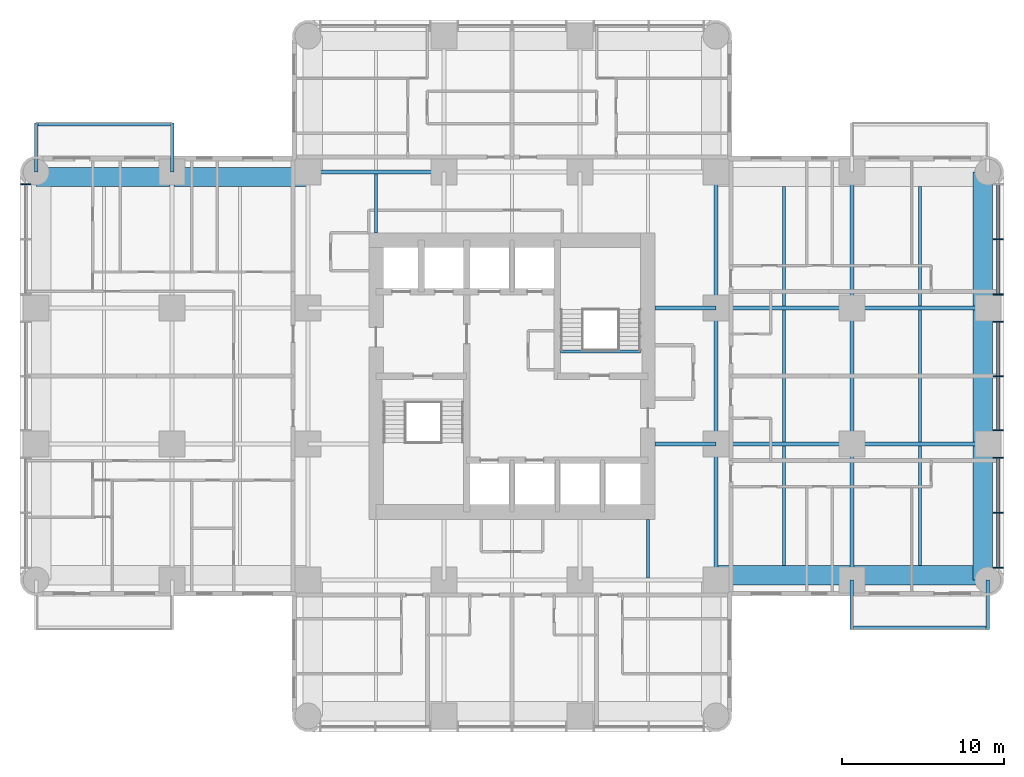
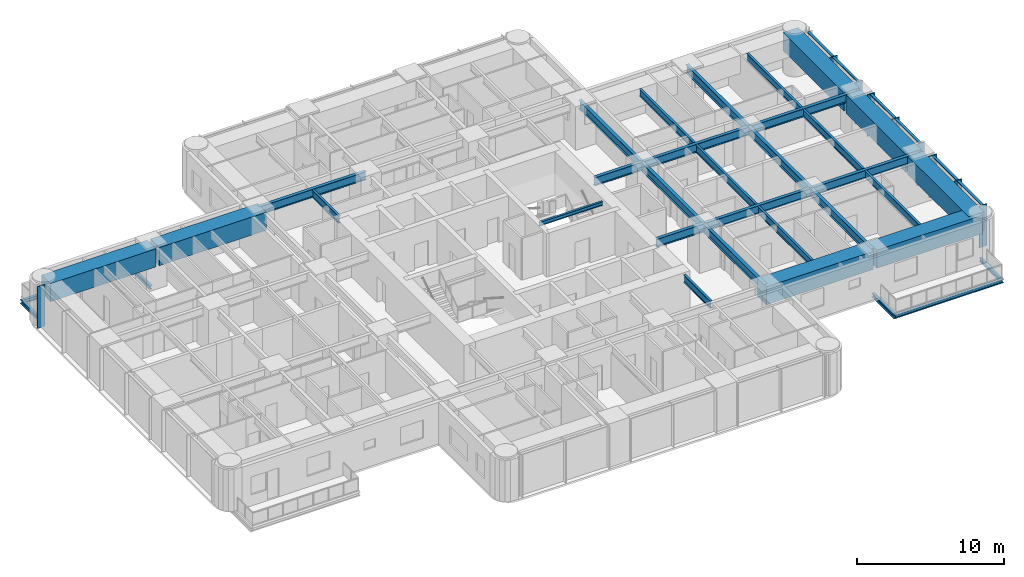
# One storey, part 3 of 14: 35 beams, 15 members, 2 elements without a shape of their own.
"""IFC4 building model written with IfcOpenShell, lengths in metres."""

from ifc_helpers import new_model, si_unit, direction, frame, origin, origin_2d, place, context, subcontext, project, spatial, rectangle, i_section, extrude, material, material_profile, profile_set, type_object, element, aggregate, save


model = new_model("IFC4")

# Units and contexts
model_context = context("Model", 3, precision=1e-05, world=origin(), true_north=direction((0.0, 1.0)))
body_context = subcontext(model_context, "Body", "Model", "MODEL_VIEW")
ifc_project = project(units=[si_unit("LENGTHUNIT", "METRE"), si_unit("AREAUNIT", "SQUARE_METRE"), si_unit("VOLUMEUNIT", "CUBIC_METRE"), si_unit("PLANEANGLEUNIT", "RADIAN"), si_unit("MASSUNIT", "GRAM", prefix="KILO")], contexts=[model_context])

# Site, building, storey
site_placement = place(None, origin())
site = spatial("IfcSite", under=ifc_project, at=site_placement, CompositionType="ELEMENT")
building_placement = place(site_placement, origin())
building = spatial("IfcBuilding", under=site, at=building_placement, Name="Torre Alcanfor", CompositionType="ELEMENT")
storey_placement = place(building_placement, frame((0.0, 0.0, 155.699951171875)))
storey = spatial("IfcBuildingStorey", under=building, at=storey_placement, Name="L40", CompositionType="ELEMENT", Elevation=155.699951171875)

# Beams
ifc_material_1 = material(Name="Steel ASTM A992 Grade 50", Category="steel")
ifc_material_profile_1 = material_profile(ifc_material_1, i_section(OverallWidth=0.205322265625, OverallDepth=0.309814453125, WebThickness=0.00927734375, FlangeThickness=0.016357421875, at=origin_2d()), Name="W12x50")
ifc_profile_set_1 = profile_set([ifc_material_profile_1], Name="Steel ASTM A992 Grade 50")
beam_type_1 = type_object("IfcBeamType", Name="Balcony cantilever beam W12x50", PredefinedType="BEAM", material=ifc_profile_set_1)
for number, where, z_axis, x_axis, name in (
    (1, (50.39990234375, 16.800048828125, -0.35498046875), (0.0, -1.0, 0.0), (1.0, 0.0, 0.0), "Balcony cantilever beam L40-E2 1"),
    (2, (58.800048828125, 16.800048828125, -0.35498046875), (0.0, -1.0, 0.0), (1.0, 0.0, 0.0), "Balcony cantilever beam L40-E2 2"),
    (3, (8.39990234375, 42.0, -0.35498046875), (0.0, 1.0, 0.0), (-1.0, 0.0, 0.0), "Balcony cantilever beam L40-W2 1"),
    (4, (0.0, 42.0, -0.35498046875), (0.0, 1.0, 0.0), (-1.0, 0.0, 0.0), "Balcony cantilever beam L40-W2 2"),
):
    element("IfcBeam", number, at=place(storey_placement, frame(where, z_axis=z_axis, x_axis=x_axis)), inside=storey, type_object=beam_type_1, Name=name, PredefinedType="BEAM", context=body_context, shape_type="SweptSolid", body=[
        extrude(i_section(OverallWidth=0.205322265625, OverallDepth=0.309814453125, WebThickness=0.00927734375, FlangeThickness=0.016357421875, at=origin_2d()), origin(), (0.0, 0.0, 1.0), 3.050048828125),
    ])
ifc_material_2 = material(Name="Steel ASTM A992 Grade 50", Category="steel")
ifc_material_profile_2 = material_profile(ifc_material_2, i_section(OverallWidth=0.203369140625, OverallDepth=0.30224609375, WebThickness=0.007568359375, FlangeThickness=0.01318359375, at=origin_2d()), Name="W12x40")
ifc_profile_set_2 = profile_set([ifc_material_profile_2], Name="Steel ASTM A992 Grade 50")
beam_type_2 = type_object("IfcBeamType", Name="Balcony edge trimmer W12x40", PredefinedType="BEAM", material=ifc_profile_set_2)
beam_1_placement = place(storey_placement, frame((50.39990234375, 13.851806640625, -0.35107421875), z_axis=(1.0, 0.0, 0.0), x_axis=(0.0, 1.0, 0.0)))
element("IfcBeam", 5, at=beam_1_placement, inside=storey, type_object=beam_type_2, Name="Balcony edge trimmer L40-E2", PredefinedType="BEAM", context=body_context, shape_type="SweptSolid", body=[
    extrude(i_section(OverallWidth=0.203369140625, OverallDepth=0.30224609375, WebThickness=0.007568359375, FlangeThickness=0.01318359375, at=origin_2d()), origin(), (0.0, 0.0, 1.0), 8.400146484375),
])
beam_2_placement = place(storey_placement, frame((8.39990234375, 44.9482421875, -0.35107421875), z_axis=(-1.0, 0.0, 0.0), x_axis=(0.0, -1.0, 0.0)))
element("IfcBeam", 6, at=beam_2_placement, inside=storey, type_object=beam_type_2, Name="Balcony edge trimmer L40-W2", PredefinedType="BEAM", context=body_context, shape_type="SweptSolid", body=[
    extrude(i_section(OverallWidth=0.203369140625, OverallDepth=0.30224609375, WebThickness=0.007568359375, FlangeThickness=0.01318359375, at=origin_2d()), origin(), (0.0, 0.0, 1.0), 8.39990234375),
])

# Curtain wall, member
ifc_material_3 = material(Name="Aluminium and glass", Category="aluminium")
curtain_wall_type = type_object("IfcCurtainWallType", Name="CW-A unitised apartment glazing with vertical FIN", PredefinedType="NOTDEFINED", material=ifc_material_3)
curtain_wall_1_placement = place(storey_placement, origin())
curtain_wall_1 = element("IfcCurtainWall", 7, at=curtain_wall_1_placement, inside=storey, type_object=curtain_wall_type, Name="Curtain wall CW-A L40 2", PredefinedType="NOTDEFINED")
ifc_material_4 = material(Name="Bronze anodised aluminium", Category="aluminium")
ifc_material_profile_3 = material_profile(ifc_material_4, rectangle(XDim=0.60009765625, YDim=0.06494140625, at=origin_2d()), Name="CW-A mullion 65x600")
ifc_profile_set_3 = profile_set([ifc_material_profile_3], Name="Bronze anodised aluminium")
member_type_1 = type_object("IfcMemberType", Name="CW-A mullion with vertical FIN 65x600", PredefinedType="MULLION", material=ifc_profile_set_3)
member_1_placement = place(storey_placement, frame((-0.64990234375, 41.24267578125, 0.0), z_axis=(0.0, 0.0, 1.0), x_axis=(1.0, 0.0, 0.0)))
member_1 = element("IfcMember", 8, at=member_1_placement, type_object=member_type_1, Name="CW-A mullion 1.1", PredefinedType="MULLION", context=body_context, shape_type="SweptSolid", body=[
    extrude(rectangle(XDim=0.60009765625, YDim=0.06494140625, at=origin_2d()), origin(), (0.0, 0.0, 1.0), 3.449951171875),
])
aggregate(curtain_wall_1, [member_1])

# Curtain wall, members
curtain_wall_2_placement = place(storey_placement, origin())
curtain_wall_2 = element("IfcCurtainWall", 9, at=curtain_wall_2_placement, inside=storey, type_object=curtain_wall_type, Name="Curtain wall CW-A L40 8", PredefinedType="NOTDEFINED")
member_2_placement = place(storey_placement, frame((59.449951171875, 17.557373046875, 0.0), z_axis=(0.0, 0.0, 1.0), x_axis=(-1.0, 0.0, 0.0)))
member_2 = element("IfcMember", 10, at=member_2_placement, type_object=member_type_1, Name="CW-A mullion 1.1", PredefinedType="MULLION", context=body_context, shape_type="SweptSolid", body=[
    extrude(rectangle(XDim=0.60009765625, YDim=0.06494140625, at=origin_2d()), origin(), (0.0, 0.0, 1.0), 3.449951171875),
])
member_3_placement = place(storey_placement, frame((59.449951171875, 20.9599609375, 0.0), z_axis=(0.0, 0.0, 1.0), x_axis=(-1.0, 0.0, 0.0)))
member_3 = element("IfcMember", 11, at=member_3_placement, type_object=member_type_1, Name="CW-A mullion 1.2", PredefinedType="MULLION", context=body_context, shape_type="SweptSolid", body=[
    extrude(rectangle(XDim=0.60009765625, YDim=0.06494140625, at=origin_2d()), origin(), (0.0, 0.0, 1.0), 3.449951171875),
])
member_4_placement = place(storey_placement, frame((59.449951171875, 24.362548828125, 0.0), z_axis=(0.0, 0.0, 1.0), x_axis=(-1.0, 0.0, 0.0)))
member_4 = element("IfcMember", 12, at=member_4_placement, type_object=member_type_1, Name="CW-A mullion 1.3", PredefinedType="MULLION", context=body_context, shape_type="SweptSolid", body=[
    extrude(rectangle(XDim=0.60009765625, YDim=0.06494140625, at=origin_2d()), origin(), (0.0, 0.0, 1.0), 3.449951171875),
])
member_5_placement = place(storey_placement, frame((59.449951171875, 26.03759765625, 0.0), z_axis=(0.0, 0.0, 1.0), x_axis=(-1.0, 0.0, 0.0)))
member_5 = element("IfcMember", 13, at=member_5_placement, type_object=member_type_1, Name="CW-A mullion 2.1", PredefinedType="MULLION", context=body_context, shape_type="SweptSolid", body=[
    extrude(rectangle(XDim=0.60009765625, YDim=0.06494140625, at=origin_2d()), origin(), (0.0, 0.0, 1.0), 3.449951171875),
])
member_6_placement = place(storey_placement, frame((59.449951171875, 29.39990234375, 0.0), z_axis=(0.0, 0.0, 1.0), x_axis=(-1.0, 0.0, 0.0)))
member_6 = element("IfcMember", 14, at=member_6_placement, type_object=member_type_1, Name="CW-A mullion 2.2", PredefinedType="MULLION", context=body_context, shape_type="SweptSolid", body=[
    extrude(rectangle(XDim=0.60009765625, YDim=0.06494140625, at=origin_2d()), origin(), (0.0, 0.0, 1.0), 3.449951171875),
])
member_7_placement = place(storey_placement, frame((59.449951171875, 32.762451171875, 0.0), z_axis=(0.0, 0.0, 1.0), x_axis=(-1.0, 0.0, 0.0)))
member_7 = element("IfcMember", 15, at=member_7_placement, type_object=member_type_1, Name="CW-A mullion 2.3", PredefinedType="MULLION", context=body_context, shape_type="SweptSolid", body=[
    extrude(rectangle(XDim=0.60009765625, YDim=0.06494140625, at=origin_2d()), origin(), (0.0, 0.0, 1.0), 3.449951171875),
])
member_8_placement = place(storey_placement, frame((59.449951171875, 34.4375, 0.0), z_axis=(0.0, 0.0, 1.0), x_axis=(-1.0, 0.0, 0.0)))
member_8 = element("IfcMember", 16, at=member_8_placement, type_object=member_type_1, Name="CW-A mullion 3.1", PredefinedType="MULLION", context=body_context, shape_type="SweptSolid", body=[
    extrude(rectangle(XDim=0.60009765625, YDim=0.06494140625, at=origin_2d()), origin(), (0.0, 0.0, 1.0), 3.449951171875),
])
member_9_placement = place(storey_placement, frame((59.449951171875, 37.840087890625, 0.0), z_axis=(0.0, 0.0, 1.0), x_axis=(-1.0, 0.0, 0.0)))
member_9 = element("IfcMember", 17, at=member_9_placement, type_object=member_type_1, Name="CW-A mullion 3.2", PredefinedType="MULLION", context=body_context, shape_type="SweptSolid", body=[
    extrude(rectangle(XDim=0.60009765625, YDim=0.06494140625, at=origin_2d()), origin(), (0.0, 0.0, 1.0), 3.449951171875),
])
ifc_material_5 = material(Name="Extruded aluminium", Category="aluminium")
ifc_material_profile_4 = material_profile(ifc_material_5, rectangle(XDim=0.199951171875, YDim=0.06494140625, at=origin_2d()), Name="CW-A transom 200x65")
ifc_profile_set_4 = profile_set([ifc_material_profile_4], Name="Extruded aluminium")
member_type_2 = type_object("IfcMemberType", Name="CW-A transom 65x200", PredefinedType="USERDEFINED", material=ifc_profile_set_4)
member_10_placement = place(storey_placement, frame((59.449951171875, 17.58984375, 3.41748046875), z_axis=(0.0, 1.0, 0.0), x_axis=(-1.0, 0.0, 0.0)))
member_10 = element("IfcMember", 18, at=member_10_placement, type_object=member_type_2, Name="CW-A transom 1.1.2", ObjectType="TRANSOM", PredefinedType="USERDEFINED", context=body_context, shape_type="SweptSolid", body=[
    extrude(rectangle(XDim=0.199951171875, YDim=0.06494140625, at=origin_2d()), origin(), (0.0, 0.0, 1.0), 3.337646484375),
])
member_11_placement = place(storey_placement, frame((59.449951171875, 20.992431640625, 3.41748046875), z_axis=(0.0, 1.0, 0.0), x_axis=(-1.0, 0.0, 0.0)))
member_11 = element("IfcMember", 19, at=member_11_placement, type_object=member_type_2, Name="CW-A transom 1.2.2", ObjectType="TRANSOM", PredefinedType="USERDEFINED", context=body_context, shape_type="SweptSolid", body=[
    extrude(rectangle(XDim=0.199951171875, YDim=0.06494140625, at=origin_2d()), origin(), (0.0, 0.0, 1.0), 3.337646484375),
])
member_12_placement = place(storey_placement, frame((59.449951171875, 26.070068359375, 3.41748046875), z_axis=(0.0, 1.0, 0.0), x_axis=(-1.0, 0.0, 0.0)))
member_12 = element("IfcMember", 20, at=member_12_placement, type_object=member_type_2, Name="CW-A transom 2.1.2", ObjectType="TRANSOM", PredefinedType="USERDEFINED", context=body_context, shape_type="SweptSolid", body=[
    extrude(rectangle(XDim=0.199951171875, YDim=0.06494140625, at=origin_2d()), origin(), (0.0, 0.0, 1.0), 3.29736328125),
])
member_13_placement = place(storey_placement, frame((59.449951171875, 29.4326171875, 3.41748046875), z_axis=(0.0, 1.0, 0.0), x_axis=(-1.0, 0.0, 0.0)))
member_13 = element("IfcMember", 21, at=member_13_placement, type_object=member_type_2, Name="CW-A transom 2.2.2", ObjectType="TRANSOM", PredefinedType="USERDEFINED", context=body_context, shape_type="SweptSolid", body=[
    extrude(rectangle(XDim=0.199951171875, YDim=0.06494140625, at=origin_2d()), origin(), (0.0, 0.0, 1.0), 3.29736328125),
])
member_14_placement = place(storey_placement, frame((59.449951171875, 34.469970703125, 3.41748046875), z_axis=(0.0, 1.0, 0.0), x_axis=(-1.0, 0.0, 0.0)))
member_14 = element("IfcMember", 22, at=member_14_placement, type_object=member_type_2, Name="CW-A transom 3.1.2", ObjectType="TRANSOM", PredefinedType="USERDEFINED", context=body_context, shape_type="SweptSolid", body=[
    extrude(rectangle(XDim=0.199951171875, YDim=0.06494140625, at=origin_2d()), origin(), (0.0, 0.0, 1.0), 3.337646484375),
])
member_15_placement = place(storey_placement, frame((59.449951171875, 37.87255859375, 3.41748046875), z_axis=(0.0, 1.0, 0.0), x_axis=(-1.0, 0.0, 0.0)))
member_15 = element("IfcMember", 23, at=member_15_placement, type_object=member_type_2, Name="CW-A transom 3.2.2", ObjectType="TRANSOM", PredefinedType="USERDEFINED", context=body_context, shape_type="SweptSolid", body=[
    extrude(rectangle(XDim=0.199951171875, YDim=0.06494140625, at=origin_2d()), origin(), (0.0, 0.0, 1.0), 3.337646484375),
])
aggregate(curtain_wall_2, [member_2, member_3, member_4, member_10, member_11, member_5, member_6, member_7, member_12, member_13, member_8, member_9, member_14, member_15])

# Beams
ifc_material_6 = material(Name="Steel ASTM A992 Grade 50", Category="steel")
ifc_material_profile_5 = material_profile(ifc_material_6, i_section(OverallWidth=0.25390625, OverallDepth=0.683349609375, WebThickness=0.012451171875, FlangeThickness=0.01904296875, at=origin_2d()), Name="W27x94")
ifc_profile_set_5 = profile_set([ifc_material_profile_5], Name="Steel ASTM A992 Grade 50")
beam_type_3 = type_object("IfcBeamType", Name="Girder W27x94", PredefinedType="BEAM", material=ifc_profile_set_5)
beam_3_placement = place(storey_placement, frame((42.0, 25.199951171875, 3.1083984375), z_axis=(1.0, 0.0, 0.0), x_axis=(0.0, 1.0, 0.0)))
element("IfcBeam", 24, at=beam_3_placement, inside=storey, type_object=beam_type_3, Name="Beam 6F-7F under L41", PredefinedType="BEAM", context=body_context, shape_type="SweptSolid", body=[
    extrude(i_section(OverallWidth=0.25390625, OverallDepth=0.683349609375, WebThickness=0.012451171875, FlangeThickness=0.01904296875, at=origin_2d()), origin(), (0.0, 0.0, 1.0), 8.39990234375),
])
beam_4_placement = place(storey_placement, frame((50.39990234375, 25.199951171875, 3.1083984375), z_axis=(1.0, 0.0, 0.0), x_axis=(0.0, 1.0, 0.0)))
element("IfcBeam", 25, at=beam_4_placement, inside=storey, type_object=beam_type_3, Name="Beam 7F-8F under L41", PredefinedType="BEAM", context=body_context, shape_type="SweptSolid", body=[
    extrude(i_section(OverallWidth=0.25390625, OverallDepth=0.683349609375, WebThickness=0.012451171875, FlangeThickness=0.01904296875, at=origin_2d()), origin(), (0.0, 0.0, 1.0), 8.400146484375),
])
beam_5_placement = place(storey_placement, frame((42.0, 33.60009765625, 3.1083984375), z_axis=(1.0, 0.0, 0.0), x_axis=(0.0, 1.0, 0.0)))
element("IfcBeam", 26, at=beam_5_placement, inside=storey, type_object=beam_type_3, Name="Beam 6G-7G under L41", PredefinedType="BEAM", context=body_context, shape_type="SweptSolid", body=[
    extrude(i_section(OverallWidth=0.25390625, OverallDepth=0.683349609375, WebThickness=0.012451171875, FlangeThickness=0.01904296875, at=origin_2d()), origin(), (0.0, 0.0, 1.0), 8.39990234375),
])
beam_6_placement = place(storey_placement, frame((50.39990234375, 33.60009765625, 3.1083984375), z_axis=(1.0, 0.0, 0.0), x_axis=(0.0, 1.0, 0.0)))
element("IfcBeam", 27, at=beam_6_placement, inside=storey, type_object=beam_type_3, Name="Beam 7G-8G under L41", PredefinedType="BEAM", context=body_context, shape_type="SweptSolid", body=[
    extrude(i_section(OverallWidth=0.25390625, OverallDepth=0.683349609375, WebThickness=0.012451171875, FlangeThickness=0.01904296875, at=origin_2d()), origin(), (0.0, 0.0, 1.0), 8.400146484375),
])
for number, where, z_axis, x_axis, name in (
    (28, (16.800048828125, 42.0, 3.1083984375), (1.0, 0.0, 0.0), (0.0, 1.0, 0.0), "Beam 3H-4H under L41"),
    (29, (42.0, 16.800048828125, 3.1083984375), (0.0, 1.0, 0.0), (-1.0, 0.0, 0.0), "Beam 6E-6F under L41"),
):
    element("IfcBeam", number, at=place(storey_placement, frame(where, z_axis=z_axis, x_axis=x_axis)), inside=storey, type_object=beam_type_3, Name=name, PredefinedType="BEAM", context=body_context, shape_type="SweptSolid", body=[
        extrude(i_section(OverallWidth=0.25390625, OverallDepth=0.683349609375, WebThickness=0.012451171875, FlangeThickness=0.01904296875, at=origin_2d()), origin(), (0.0, 0.0, 1.0), 8.39990234375),
    ])
beam_7_placement = place(storey_placement, frame((42.0, 25.199951171875, 3.1083984375), z_axis=(0.0, 1.0, 0.0), x_axis=(-1.0, 0.0, 0.0)))
element("IfcBeam", 30, at=beam_7_placement, inside=storey, type_object=beam_type_3, Name="Beam 6F-6G under L41", PredefinedType="BEAM", context=body_context, shape_type="SweptSolid", body=[
    extrude(i_section(OverallWidth=0.25390625, OverallDepth=0.683349609375, WebThickness=0.012451171875, FlangeThickness=0.01904296875, at=origin_2d()), origin(), (0.0, 0.0, 1.0), 8.400146484375),
])
for number, where, z_axis, x_axis, name in (
    (31, (42.0, 33.60009765625, 3.1083984375), (0.0, 1.0, 0.0), (-1.0, 0.0, 0.0), "Beam 6G-6H under L41"),
    (32, (50.39990234375, 16.800048828125, 3.1083984375), (0.0, 1.0, 0.0), (-1.0, 0.0, 0.0), "Beam 7E-7F under L41"),
):
    element("IfcBeam", number, at=place(storey_placement, frame(where, z_axis=z_axis, x_axis=x_axis)), inside=storey, type_object=beam_type_3, Name=name, PredefinedType="BEAM", context=body_context, shape_type="SweptSolid", body=[
        extrude(i_section(OverallWidth=0.25390625, OverallDepth=0.683349609375, WebThickness=0.012451171875, FlangeThickness=0.01904296875, at=origin_2d()), origin(), (0.0, 0.0, 1.0), 8.39990234375),
    ])
beam_8_placement = place(storey_placement, frame((50.39990234375, 25.199951171875, 3.1083984375), z_axis=(0.0, 1.0, 0.0), x_axis=(-1.0, 0.0, 0.0)))
element("IfcBeam", 33, at=beam_8_placement, inside=storey, type_object=beam_type_3, Name="Beam 7F-7G under L41", PredefinedType="BEAM", context=body_context, shape_type="SweptSolid", body=[
    extrude(i_section(OverallWidth=0.25390625, OverallDepth=0.683349609375, WebThickness=0.012451171875, FlangeThickness=0.01904296875, at=origin_2d()), origin(), (0.0, 0.0, 1.0), 8.400146484375),
])
beam_9_placement = place(storey_placement, frame((50.39990234375, 33.60009765625, 3.1083984375), z_axis=(0.0, 1.0, 0.0), x_axis=(-1.0, 0.0, 0.0)))
element("IfcBeam", 34, at=beam_9_placement, inside=storey, type_object=beam_type_3, Name="Beam 7G-7H under L41", PredefinedType="BEAM", context=body_context, shape_type="SweptSolid", body=[
    extrude(i_section(OverallWidth=0.25390625, OverallDepth=0.683349609375, WebThickness=0.012451171875, FlangeThickness=0.01904296875, at=origin_2d()), origin(), (0.0, 0.0, 1.0), 8.39990234375),
])
ifc_material_7 = material(Name="Steel ASTM A992 Grade 50", Category="steel")
ifc_material_profile_6 = material_profile(ifc_material_7, i_section(OverallWidth=0.25390625, OverallDepth=0.683349609375, WebThickness=0.012451171875, FlangeThickness=0.01904296875, at=origin_2d()), Name="W27x94")
ifc_profile_set_6 = profile_set([ifc_material_profile_6], Name="Steel ASTM A992 Grade 50")
beam_type_4 = type_object("IfcBeamType", Name="Girder, part bay W27x94", PredefinedType="BEAM", material=ifc_profile_set_6)
for number, where, z_axis, x_axis, name in (
    (35, (42.0, 25.199951171875, 3.1083984375), (-1.0, 0.0, 0.0), (0.0, -1.0, 0.0), "Beam 6F-38_25F under L41"),
    (36, (42.0, 33.60009765625, 3.1083984375), (-1.0, 0.0, 0.0), (0.0, -1.0, 0.0), "Beam 6G-38_25G under L41"),
):
    element("IfcBeam", number, at=place(storey_placement, frame(where, z_axis=z_axis, x_axis=x_axis)), inside=storey, type_object=beam_type_4, Name=name, PredefinedType="BEAM", context=body_context, shape_type="SweptSolid", body=[
        extrude(i_section(OverallWidth=0.25390625, OverallDepth=0.683349609375, WebThickness=0.012451171875, FlangeThickness=0.01904296875, at=origin_2d()), origin(), (0.0, 0.0, 1.0), 3.75),
    ])
ifc_material_8 = material(Name="Concrete f'c 70 MPa", Category="concrete")
ifc_material_profile_7 = material_profile(ifc_material_8, rectangle(XDim=1.199951171875, YDim=1.5, at=origin_2d()), Name="1200x1500")
ifc_profile_set_7 = profile_set([ifc_material_profile_7], Name="Concrete f'c 70 MPa")
beam_type_5 = type_object("IfcBeamType", Name="RC perimeter beam 1200x1500", PredefinedType="BEAM", material=ifc_profile_set_7)
beam_10_placement = place(storey_placement, frame((41.873046875, 17.10009765625, 2.699951171875), z_axis=(1.0, 0.0, 0.0), x_axis=(0.0, 1.0, 0.0)))
element("IfcBeam", 37, at=beam_10_placement, inside=storey, type_object=beam_type_5, Name="Beam 6E-7E under L41", PredefinedType="BEAM", context=body_context, shape_type="SweptSolid", body=[
    extrude(rectangle(XDim=1.199951171875, YDim=1.5, at=origin_2d()), origin(), (0.0, 0.0, 1.0), 8.39990234375),
])
for number, where, z_axis, x_axis, name in (
    (38, (50.527099609375, 17.10009765625, 2.699951171875), (1.0, 0.0, 0.0), (0.0, 1.0, 0.0), "Beam 7E-8E under L41"),
    (39, (0.0, 41.699951171875, 2.699951171875), (1.0, 0.0, 0.0), (0.0, 1.0, 0.0), "Beam 1H-2H under L41"),
):
    element("IfcBeam", number, at=place(storey_placement, frame(where, z_axis=z_axis, x_axis=x_axis)), inside=storey, type_object=beam_type_5, Name=name, PredefinedType="BEAM", context=body_context, shape_type="SweptSolid", body=[
        extrude(rectangle(XDim=1.199951171875, YDim=1.5, at=origin_2d()), origin(), (0.0, 0.0, 1.0), 8.27294921875),
    ])
beam_11_placement = place(storey_placement, frame((8.527099609375, 41.699951171875, 2.699951171875), z_axis=(1.0, 0.0, 0.0), x_axis=(0.0, 1.0, 0.0)))
element("IfcBeam", 40, at=beam_11_placement, inside=storey, type_object=beam_type_5, Name="Beam 2H-3H under L41", PredefinedType="BEAM", context=body_context, shape_type="SweptSolid", body=[
    extrude(rectangle(XDim=1.199951171875, YDim=1.5, at=origin_2d()), origin(), (0.0, 0.0, 1.0), 8.39990234375),
])
beam_12_placement = place(storey_placement, frame((58.5, 16.800048828125, 2.699951171875), z_axis=(0.0, 1.0, 0.0), x_axis=(-1.0, 0.0, 0.0)))
element("IfcBeam", 41, at=beam_12_placement, inside=storey, type_object=beam_type_5, Name="Beam 8E-8F under L41", PredefinedType="BEAM", context=body_context, shape_type="SweptSolid", body=[
    extrude(rectangle(XDim=1.199951171875, YDim=1.5, at=origin_2d()), origin(), (0.0, 0.0, 1.0), 8.27294921875),
])
beam_13_placement = place(storey_placement, frame((58.5, 25.326904296875, 2.699951171875), z_axis=(0.0, 1.0, 0.0), x_axis=(-1.0, 0.0, 0.0)))
element("IfcBeam", 42, at=beam_13_placement, inside=storey, type_object=beam_type_5, Name="Beam 8F-8G under L41", PredefinedType="BEAM", context=body_context, shape_type="SweptSolid", body=[
    extrude(rectangle(XDim=1.199951171875, YDim=1.5, at=origin_2d()), origin(), (0.0, 0.0, 1.0), 8.14599609375),
])
beam_14_placement = place(storey_placement, frame((58.5, 33.72705078125, 2.699951171875), z_axis=(0.0, 1.0, 0.0), x_axis=(-1.0, 0.0, 0.0)))
element("IfcBeam", 43, at=beam_14_placement, inside=storey, type_object=beam_type_5, Name="Beam 8G-8H under L41", PredefinedType="BEAM", context=body_context, shape_type="SweptSolid", body=[
    extrude(rectangle(XDim=1.199951171875, YDim=1.5, at=origin_2d()), origin(), (0.0, 0.0, 1.0), 8.27294921875),
])
ifc_material_9 = material(Name="Steel ASTM A992 Grade 50", Category="steel")
ifc_material_profile_8 = material_profile(ifc_material_9, i_section(OverallWidth=0.1787109375, OverallDepth=0.60205078125, WebThickness=0.010986328125, FlangeThickness=0.014892578125, at=origin_2d()), Name="W24x62")
ifc_profile_set_8 = profile_set([ifc_material_profile_8], Name="Steel ASTM A992 Grade 50")
beam_type_6 = type_object("IfcBeamType", Name="Secondary beam W24x62", PredefinedType="BEAM", material=ifc_profile_set_8)
beam_15_placement = place(storey_placement, frame((46.199951171875, 17.699951171875, 3.149169921875), z_axis=(0.0, 1.0, 0.0), x_axis=(-1.0, 0.0, 0.0)))
element("IfcBeam", 44, at=beam_15_placement, inside=storey, type_object=beam_type_6, Name="Beam 46_2E-46_2F under L41", PredefinedType="BEAM", context=body_context, shape_type="SweptSolid", body=[
    extrude(i_section(OverallWidth=0.1787109375, OverallDepth=0.60205078125, WebThickness=0.010986328125, FlangeThickness=0.014892578125, at=origin_2d()), origin(), (0.0, 0.0, 1.0), 7.373046875),
])
beam_16_placement = place(storey_placement, frame((46.199951171875, 25.326904296875, 3.149169921875), z_axis=(0.0, 1.0, 0.0), x_axis=(-1.0, 0.0, 0.0)))
element("IfcBeam", 45, at=beam_16_placement, inside=storey, type_object=beam_type_6, Name="Beam 46_2F-46_2G under L41", PredefinedType="BEAM", context=body_context, shape_type="SweptSolid", body=[
    extrude(i_section(OverallWidth=0.1787109375, OverallDepth=0.60205078125, WebThickness=0.010986328125, FlangeThickness=0.014892578125, at=origin_2d()), origin(), (0.0, 0.0, 1.0), 8.14599609375),
])
for number, where, z_axis, x_axis, name in (
    (46, (46.199951171875, 33.72705078125, 3.149169921875), (0.0, 1.0, 0.0), (-1.0, 0.0, 0.0), "Beam 46_2G-46_2H under L41"),
    (47, (54.60009765625, 17.699951171875, 3.149169921875), (0.0, 1.0, 0.0), (-1.0, 0.0, 0.0), "Beam 54_6E-54_6F under L41"),
):
    element("IfcBeam", number, at=place(storey_placement, frame(where, z_axis=z_axis, x_axis=x_axis)), inside=storey, type_object=beam_type_6, Name=name, PredefinedType="BEAM", context=body_context, shape_type="SweptSolid", body=[
        extrude(i_section(OverallWidth=0.1787109375, OverallDepth=0.60205078125, WebThickness=0.010986328125, FlangeThickness=0.014892578125, at=origin_2d()), origin(), (0.0, 0.0, 1.0), 7.373046875),
    ])
beam_17_placement = place(storey_placement, frame((54.60009765625, 25.326904296875, 3.149169921875), z_axis=(0.0, 1.0, 0.0), x_axis=(-1.0, 0.0, 0.0)))
element("IfcBeam", 48, at=beam_17_placement, inside=storey, type_object=beam_type_6, Name="Beam 54_6F-54_6G under L41", PredefinedType="BEAM", context=body_context, shape_type="SweptSolid", body=[
    extrude(i_section(OverallWidth=0.1787109375, OverallDepth=0.60205078125, WebThickness=0.010986328125, FlangeThickness=0.014892578125, at=origin_2d()), origin(), (0.0, 0.0, 1.0), 8.14599609375),
])
beam_18_placement = place(storey_placement, frame((54.60009765625, 33.72705078125, 3.149169921875), z_axis=(0.0, 1.0, 0.0), x_axis=(-1.0, 0.0, 0.0)))
element("IfcBeam", 49, at=beam_18_placement, inside=storey, type_object=beam_type_6, Name="Beam 54_6G-54_6H under L41", PredefinedType="BEAM", context=body_context, shape_type="SweptSolid", body=[
    extrude(i_section(OverallWidth=0.1787109375, OverallDepth=0.60205078125, WebThickness=0.010986328125, FlangeThickness=0.014892578125, at=origin_2d()), origin(), (0.0, 0.0, 1.0), 7.373046875),
])
ifc_material_10 = material(Name="Steel ASTM A992 Grade 50", Category="steel")
ifc_material_profile_9 = material_profile(ifc_material_10, i_section(OverallWidth=0.1787109375, OverallDepth=0.60205078125, WebThickness=0.010986328125, FlangeThickness=0.014892578125, at=origin_2d()), Name="W24x62")
ifc_profile_set_9 = profile_set([ifc_material_profile_9], Name="Steel ASTM A992 Grade 50")
beam_type_7 = type_object("IfcBeamType", Name="Secondary beam, part bay W24x62", PredefinedType="BEAM", material=ifc_profile_set_9)
for number, where, z_axis, x_axis, name in (
    (50, (21.0, 38.25, 3.149169921875), (0.0, 1.0, 0.0), (-1.0, 0.0, 0.0), "Beam 2138_25-21H under L41"),
    (51, (37.800048828125, 16.927001953125, 3.149169921875), (0.0, 1.0, 0.0), (-1.0, 0.0, 0.0), "Beam 37_8E-37_820_55 under L41"),
):
    element("IfcBeam", number, at=place(storey_placement, frame(where, z_axis=z_axis, x_axis=x_axis)), inside=storey, type_object=beam_type_7, Name=name, PredefinedType="BEAM", context=body_context, shape_type="SweptSolid", body=[
        extrude(i_section(OverallWidth=0.1787109375, OverallDepth=0.60205078125, WebThickness=0.010986328125, FlangeThickness=0.014892578125, at=origin_2d()), origin(), (0.0, 0.0, 1.0), 3.623046875),
    ])
ifc_material_11 = material(Name="Steel ASTM A992 Grade 50", Category="steel")
ifc_material_profile_10 = material_profile(ifc_material_11, i_section(OverallWidth=0.164794921875, OverallDepth=0.309814453125, WebThickness=0.005859375, FlangeThickness=0.009765625, at=origin_2d()), Name="W12x26")
ifc_profile_set_10 = profile_set([ifc_material_profile_10], Name="Steel ASTM A992 Grade 50")
beam_type_8 = type_object("IfcBeamType", Name="Stair landing beam W12x26", PredefinedType="BEAM", material=ifc_profile_set_10)
beam_19_placement = place(storey_placement, frame((32.39990234375, 30.91259765625, 3.2451171875), z_axis=(1.0, 0.0, 0.0), x_axis=(0.0, 1.0, 0.0)))
element("IfcBeam", 52, at=beam_19_placement, inside=storey, type_object=beam_type_8, Name="Landing trimmer S2 L41", PredefinedType="BEAM", context=body_context, shape_type="SweptSolid", body=[
    extrude(i_section(OverallWidth=0.164794921875, OverallDepth=0.309814453125, WebThickness=0.005859375, FlangeThickness=0.009765625, at=origin_2d()), origin(), (0.0, 0.0, 1.0), 4.9501953125),
])

save(model, "model.ifc")
